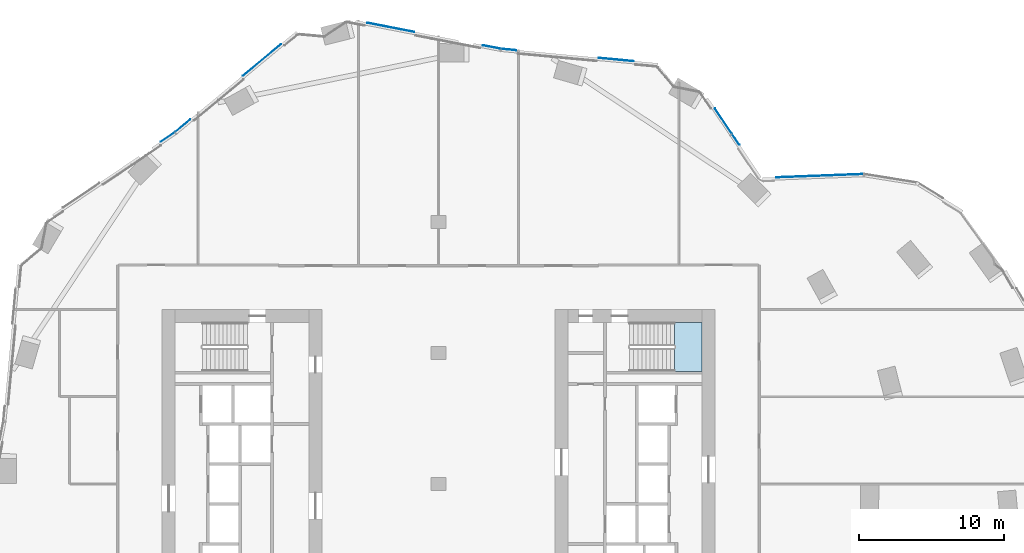
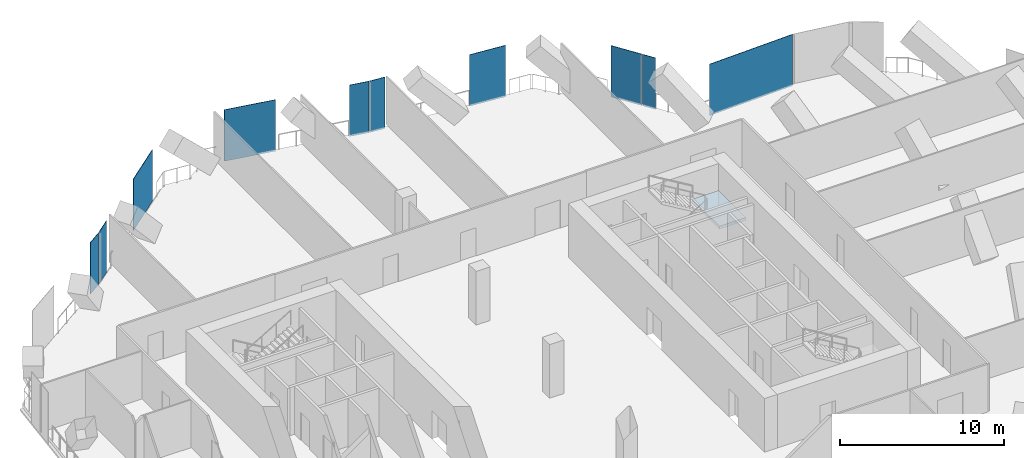
# One storey, part 17 of 28: 10 plates, 1 slab, 7 elements without a shape of their own.
"""IFC4 building model written with IfcOpenShell, lengths in metres."""

from ifc_helpers import new_model, si_unit, direction, frame, origin, origin_2d, place, context, subcontext, project, spatial, polyline, rectangle, outline, extrude, material, layer, layer_set, type_object, element, aggregate, save


model = new_model("IFC4")

# Units and contexts
model_context = context("Model", 3, precision=1e-05, world=origin(), true_north=direction((0.0, 1.0)))
body_context = subcontext(model_context, "Body", "Model", "MODEL_VIEW")
ifc_project = project(units=[si_unit("LENGTHUNIT", "METRE"), si_unit("AREAUNIT", "SQUARE_METRE"), si_unit("VOLUMEUNIT", "CUBIC_METRE"), si_unit("PLANEANGLEUNIT", "RADIAN"), si_unit("MASSUNIT", "GRAM", prefix="KILO")], contexts=[model_context])

# Site, building, storey
site_placement = place(None, origin())
site = spatial("IfcSite", under=ifc_project, at=site_placement, CompositionType="ELEMENT")
building_placement = place(site_placement, origin())
building = spatial("IfcBuilding", under=site, at=building_placement, Name="Orlundy Tower", CompositionType="ELEMENT")
storey_placement = place(building_placement, frame((0.0, 0.0, 163.10009765625)))
storey = spatial("IfcBuildingStorey", under=building, at=storey_placement, Name="L42", CompositionType="ELEMENT", Elevation=163.10009765625)

# Curtain wall, plates
ifc_material_1 = material(Name="Aluminium bronze anodised", Category="aluminium")
curtain_wall_type = type_object("IfcCurtainWallType", Name="CW5 wall", PredefinedType="NOTDEFINED", material=ifc_material_1)
curtain_wall_1_placement = place(storey_placement, origin())
curtain_wall_1 = element("IfcCurtainWall", 1, at=curtain_wall_1_placement, inside=storey, type_object=curtain_wall_type, Name="CW5 run 07", PredefinedType="NOTDEFINED")
ifc_material_2 = material(Name="Tinted glass", Category="glass")
ifc_layer_1 = layer(ifc_material_2, 0.031982421875)
ifc_layer_set_1 = layer_set([ifc_layer_1], Name="CW5 glass panel 32")
plate_type_1 = type_object("IfcPlateType", Name="CW5 glass panel 32", PredefinedType="CURTAIN_PANEL", material=ifc_layer_set_1)
plate_1_placement = place(storey_placement, frame((-17.580810546875, 24.6328125, -0.26025390625), z_axis=(0.0, 0.0, 1.0), x_axis=(0.769770010879, 0.638321337847, 0.0)))
plate_1 = element("IfcPlate", 2, at=plate_1_placement, type_object=plate_type_1, Name="CW5 panel", PredefinedType="CURTAIN_PANEL", context=body_context, shape_type="SweptSolid", body=[
    extrude(rectangle(XDim=1.339111328125, YDim=0.031982421875, at=origin_2d()), origin(), (0.0, 0.0, 1.0), 3.840087890625),
])
plate_2_placement = place(storey_placement, frame((-12.133544921875, 29.14990234375, -0.26025390625), z_axis=(0.0, 0.0, 1.0), x_axis=(0.769770010879, 0.638321337847, 0.0)))
plate_2 = element("IfcPlate", 3, at=plate_2_placement, type_object=plate_type_1, Name="CW5 panel", PredefinedType="CURTAIN_PANEL", context=body_context, shape_type="SweptSolid", body=[
    extrude(rectangle(XDim=3.391845703125, YDim=0.031982421875, at=origin_2d()), origin(), (0.0, 0.0, 1.0), 3.840087890625),
])
aggregate(curtain_wall_1, [plate_1, plate_2])

# Curtain wall, plate
curtain_wall_2_placement = place(storey_placement, origin())
curtain_wall_2 = element("IfcCurtainWall", 4, at=curtain_wall_2_placement, inside=storey, type_object=curtain_wall_type, Name="CW5 run 010", PredefinedType="NOTDEFINED")
plate_3_placement = place(storey_placement, frame((-3.287841796875, 31.38818359375, -0.26025390625), z_axis=(0.0, 0.0, 1.0), x_axis=(0.981631079583, -0.190788950404, 0.0)))
plate_3 = element("IfcPlate", 5, at=plate_3_placement, type_object=plate_type_1, Name="CW5 panel", PredefinedType="CURTAIN_PANEL", context=body_context, shape_type="SweptSolid", body=[
    extrude(rectangle(XDim=3.30078125, YDim=0.031982421875, at=origin_2d()), origin(), (0.0, 0.0, 1.0), 3.840087890625),
])

# Curtain wall, plates
curtain_wall_3_placement = place(storey_placement, origin())
curtain_wall_3 = element("IfcCurtainWall", 6, at=curtain_wall_3_placement, inside=storey, type_object=curtain_wall_type, Name="CW5 run 011", PredefinedType="NOTDEFINED")
plate_4_placement = place(storey_placement, frame((4.83544921875, 29.864013671875, -0.26025390625), z_axis=(0.0, 0.0, 1.0), x_axis=(0.995669198975, -0.092966909231, 0.0)))
plate_4 = element("IfcPlate", 7, at=plate_4_placement, type_object=plate_type_1, Name="CW5 panel", PredefinedType="CURTAIN_PANEL", context=body_context, shape_type="SweptSolid", body=[
    extrude(rectangle(XDim=1.03515625, YDim=0.031982421875, at=origin_2d()), origin(), (0.0, 0.0, 1.0), 3.840087890625),
])
plate_5_placement = place(storey_placement, frame((12.2197265625, 29.174560546875, -0.26025390625), z_axis=(0.0, 0.0, 1.0), x_axis=(0.995669198975, -0.092966909231, 0.0)))
plate_5 = element("IfcPlate", 8, at=plate_5_placement, type_object=plate_type_1, Name="CW5 panel", PredefinedType="CURTAIN_PANEL", context=body_context, shape_type="SweptSolid", body=[
    extrude(rectangle(XDim=2.4150390625, YDim=0.031982421875, at=origin_2d()), origin(), (0.0, 0.0, 1.0), 3.840087890625),
])
aggregate(curtain_wall_3, [plate_4, plate_5])

# Curtain wall, plate
curtain_wall_4_placement = place(storey_placement, origin())
curtain_wall_4 = element("IfcCurtainWall", 9, at=curtain_wall_4_placement, inside=storey, type_object=curtain_wall_type, Name="CW5 run 014", PredefinedType="NOTDEFINED")
plate_6_placement = place(storey_placement, frame((19.580322265625, 24.948486328125, -0.26025390625), z_axis=(0.0, 0.0, 1.0), x_axis=(0.559177847512, -0.829047727729, 0.0)))
plate_6 = element("IfcPlate", 10, at=plate_6_placement, type_object=plate_type_1, Name="CW5 panel", PredefinedType="CURTAIN_PANEL", context=body_context, shape_type="SweptSolid", body=[
    extrude(rectangle(XDim=2.075439453125, YDim=0.031982421875, at=origin_2d()), origin(), (0.0, 0.0, 1.0), 3.840087890625),
])

curtain_wall_5_placement = place(storey_placement, origin())
curtain_wall_5 = element("IfcCurtainWall", 11, at=curtain_wall_5_placement, inside=storey, type_object=curtain_wall_type, Name="CW5 run 015", PredefinedType="NOTDEFINED")
plate_7_placement = place(storey_placement, frame((26.210693359375, 21.18994140625, -0.26025390625), z_axis=(0.0, 0.0, 1.0), x_axis=(0.999283047112, 0.037860160512, 0.0)))
plate_7 = element("IfcPlate", 12, at=plate_7_placement, type_object=plate_type_1, Name="CW5 panel", PredefinedType="CURTAIN_PANEL", context=body_context, shape_type="SweptSolid", body=[
    extrude(rectangle(XDim=5.9990234375, YDim=0.031982421875, at=origin_2d()), origin(), (0.0, 0.0, 1.0), 3.840087890625),
])
aggregate(curtain_wall_5, [plate_7])

curtain_wall_6_placement = place(storey_placement, origin())
curtain_wall_6 = element("IfcCurtainWall", 13, at=curtain_wall_6_placement, inside=storey, type_object=curtain_wall_type, Name="CW5 run 06", PredefinedType="NOTDEFINED")
ifc_material_3 = material(Name="Tinted glass", Category="glass")
ifc_layer_2 = layer(ifc_material_3, 0.031982421875)
ifc_layer_set_2 = layer_set([ifc_layer_2], Name="CW5 vent panel 32")
plate_type_2 = type_object("IfcPlateType", Name="CW5 vent panel 32", PredefinedType="CURTAIN_PANEL", material=ifc_layer_set_2)
plate_8_placement = place(storey_placement, frame((-18.61669921875, 23.851318359375, -0.26025390625), z_axis=(0.0, 0.0, 1.0), x_axis=(0.82902976865, 0.559204473061, 0.0)))
plate_8 = element("IfcPlate", 14, at=plate_8_placement, type_object=plate_type_2, Name="CW5 panel", PredefinedType="CURTAIN_PANEL", context=body_context, shape_type="SweptSolid", body=[
    extrude(rectangle(XDim=1.1591796875, YDim=0.031982421875, at=origin_2d()), origin(), (0.0, 0.0, 1.0), 3.840087890625),
])
aggregate(curtain_wall_6, [plate_8])

# Plate
plate_9_placement = place(storey_placement, frame((3.659423828125, 30.037841796875, -0.26025390625), z_axis=(0.0, 0.0, 1.0), x_axis=(0.981631079583, -0.190788950404, 0.0)))
plate_9 = element("IfcPlate", 15, at=plate_9_placement, type_object=plate_type_2, Name="CW5 panel", PredefinedType="CURTAIN_PANEL", context=body_context, shape_type="SweptSolid", body=[
    extrude(rectangle(XDim=1.2451171875, YDim=0.031982421875, at=origin_2d()), origin(), (0.0, 0.0, 1.0), 3.840087890625),
])

aggregate(curtain_wall_2, [plate_3, plate_9])

plate_10_placement = place(storey_placement, frame((20.435546875, 23.680419921875, -0.26025390625), z_axis=(0.0, 0.0, 1.0), x_axis=(0.559177847512, -0.829047727729, 0.0)))
plate_10 = element("IfcPlate", 16, at=plate_10_placement, type_object=plate_type_2, Name="CW5 panel", PredefinedType="CURTAIN_PANEL", context=body_context, shape_type="SweptSolid", body=[
    extrude(rectangle(XDim=0.88330078125, YDim=0.031982421875, at=origin_2d()), origin(), (0.0, 0.0, 1.0), 3.840087890625),
])

aggregate(curtain_wall_4, [plate_6, plate_10])

# Stair, slab
ifc_material_4 = material(Name="Concrete C50/60", Category="concrete")
stair_type = type_object("IfcStairType", Name="Exit Stair 24 risers", PredefinedType="HALF_TURN_STAIR", material=ifc_material_4)
stair_placement = place(storey_placement, origin())
stair = element("IfcStair", 17, at=stair_placement, inside=storey, type_object=stair_type, Name="L42 Exit Stair ST-E2", PredefinedType="HALF_TURN_STAIR")
ifc_material_5 = material(Name="Concrete C50/60", Category="concrete")
ifc_layer_3 = layer(ifc_material_5, 0.199951171875)
ifc_layer_set_3 = layer_set([ifc_layer_3], Name="Exit Stair Landing")
slab_type = type_object("IfcSlabType", Name="Exit Stair Landing", PredefinedType="LANDING", material=ifc_layer_set_3)
slab_placement = place(storey_placement, frame((0.0, 0.0, 1.7998046875)))
slab = element("IfcSlab", 18, at=slab_placement, type_object=slab_type, Name="ST-E2 landing 1", PredefinedType="LANDING", context=body_context, shape_type="SweptSolid", body=[
    extrude(outline(polyline([(16.219970703125, 7.75), (18.10009765625, 7.75), (18.10009765625, 11.10009765625), (16.219970703125, 11.10009765625), (16.219970703125, 7.75)])), origin(), (0.0, 0.0, 1.0), 0.2001953125),
])
aggregate(stair, [slab])

save(model, "model.ifc")
